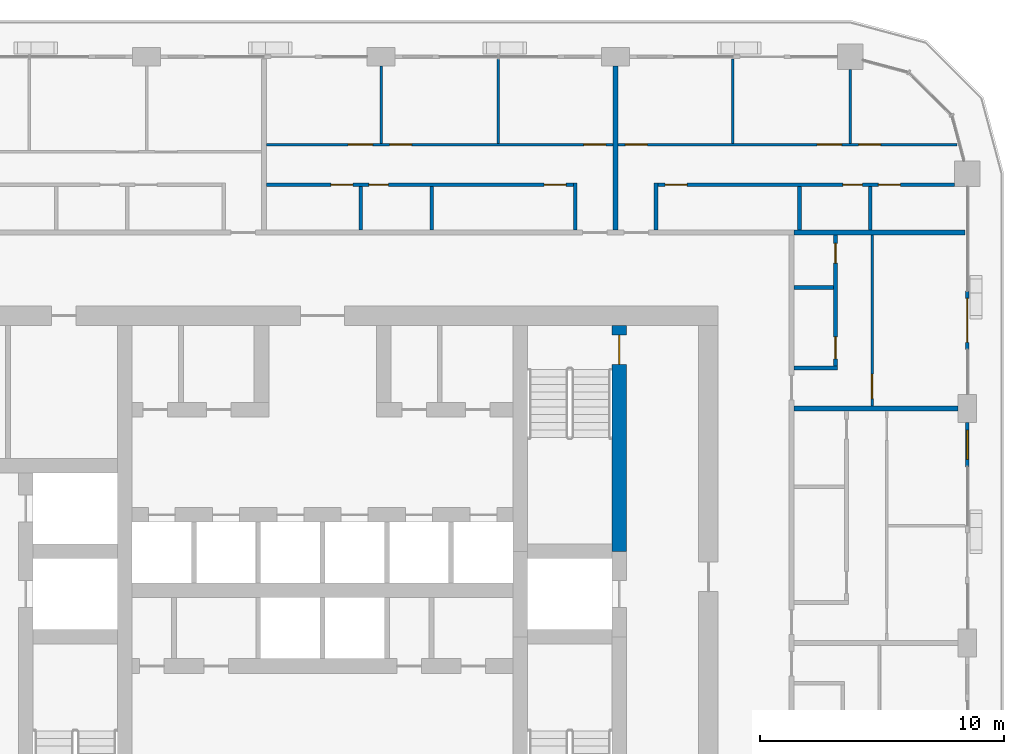
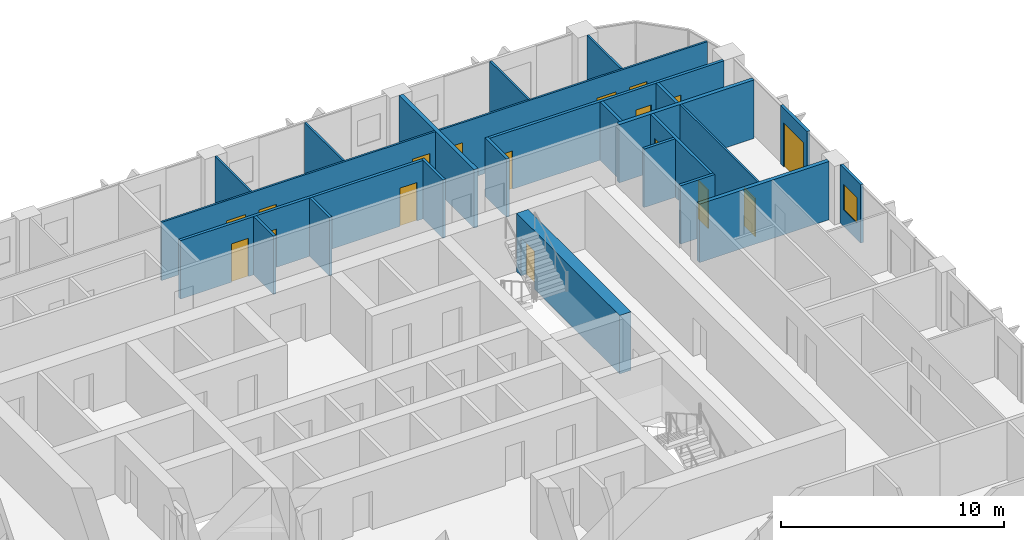
# One storey, part 15 of 22: 24 walls, 17 doors, 1 window, 18 openings.
"""IFC4 building model written with IfcOpenShell, lengths in metres."""

from ifc_helpers import new_model, si_unit, direction, frame, frame_2d, origin, place, context, subcontext, project, spatial, rectangle, extrude, material, layer, layer_set, type_object, element, fill, save


model = new_model("IFC4")

# Units and contexts
model_context = context("Model", 3, precision=1e-05, world=origin(), true_north=direction((0.0, 1.0)))
body_context = subcontext(model_context, "Body", "Model", "MODEL_VIEW")
ifc_project = project(units=[si_unit("LENGTHUNIT", "METRE"), si_unit("AREAUNIT", "SQUARE_METRE"), si_unit("VOLUMEUNIT", "CUBIC_METRE"), si_unit("PLANEANGLEUNIT", "RADIAN"), si_unit("MASSUNIT", "GRAM", prefix="KILO")], contexts=[model_context])

# Site, building, storey
site_placement = place(None, origin())
site = spatial("IfcSite", under=ifc_project, at=site_placement, CompositionType="ELEMENT")
building_placement = place(site_placement, origin())
building = spatial("IfcBuilding", under=site, at=building_placement, Name="Madar Terraces", CompositionType="ELEMENT")
storey_placement = place(building_placement, frame((0.0, 0.0, 156.0)))
storey = spatial("IfcBuildingStorey", under=building, at=storey_placement, Name="L40", CompositionType="ELEMENT", Elevation=156.0)

# Wall, opening, door
ifc_material_1 = material(Name="Concrete C70/85", Category="concrete")
ifc_layer_1 = layer(ifc_material_1, 0.60009765625)
ifc_layer_set_1 = layer_set([ifc_layer_1], Name="Concrete C70/85 (CIW3 RC wall 600)")
wall_type_1 = type_object("IfcWallType", Name="CIW3 RC wall 600", PredefinedType="SHEAR", material=ifc_layer_set_1)
wall_1_placement = place(storey_placement, frame((43.35009765625, 27.75, 0.0), z_axis=(0.0, 0.0, 1.0), x_axis=(0.0, 1.0, 0.0)))
wall_1 = element("IfcWall", 1, at=wall_1_placement, inside=storey, type_object=wall_type_1, Name="CORE SHAFT WALL", PredefinedType="SHEAR", context=body_context, shape_type="SweptSolid", body=[
    extrude(rectangle(XDim=9.25, YDim=0.60009765625, at=frame_2d((4.625, 0.0))), origin(), (0.0, 0.0, 1.0), 3.199951171875),
])
opening_1_placement = place(wall_1_placement, frame((7.64990234375, 0.0, 0.0)))
opening_1 = element("IfcOpeningElement", 2, at=opening_1_placement, cuts=wall_1, Name="Opening SD1", PredefinedType="OPENING", context=body_context, shape_type="SweptSolid", body=[
    extrude(rectangle(XDim=1.199951171875, YDim=2.10009765625, at=frame_2d((0.60009765625, 1.050048828125))), frame((0.0, 0.31005859375, 0.0), z_axis=(0.0, -1.0, 0.0), x_axis=(1.0, 0.0, 0.0)), (0.0, 0.0, 1.0), 0.6201171875),
])
ifc_material_2 = material(Name="Steel door leaf", Category="steel")
door_type_1 = type_object("IfcDoorType", Name="Stair door 1200 x 2100", OperationType="NOTDEFINED", PredefinedType="DOOR", material=ifc_material_2)
door_1_placement = place(opening_1_placement, origin())
door_1 = element("IfcDoor", 3, at=door_1_placement, inside=storey, type_object=door_type_1, Name="STAIR DOOR", OperationType="SINGLE_SWING_RIGHT", OverallHeight=2.10009765625, OverallWidth=1.199951171875, PredefinedType="DOOR", context=body_context, shape_type="SweptSolid", body=[
    extrude(rectangle(XDim=1.199951171875, YDim=2.10009765625, at=frame_2d((0.60009765625, 1.050048828125))), frame((0.0, 0.02490234375, 0.0), z_axis=(0.0, -1.0, 0.0), x_axis=(1.0, 0.0, 0.0)), (0.0, 0.0, 1.0), 0.050048828125),
])
fill(opening_1, door_1)

# Wall, opening, window
ifc_material_3 = material(Name="Aluminium composite panel, black, over insulated backing", Category="aluminium")
ifc_layer_2 = layer(ifc_material_3, 0.14990234375)
ifc_layer_set_2 = layer_set([ifc_layer_2], Name="Facade bay panel 150")
wall_type_2 = type_object("IfcWallType", Name="Facade bay panel 150", PredefinedType="SOLIDWALL", material=ifc_layer_set_2)
wall_2_placement = place(storey_placement, frame((57.60009765625, 31.199951171875, 0.0), z_axis=(0.0, 0.0, 1.0), x_axis=(0.0, 1.0, 0.0)))
wall_2 = element("IfcWall", 4, at=wall_2_placement, inside=storey, type_object=wall_type_2, Name="Facade bay panel", PredefinedType="SOLIDWALL", context=body_context, shape_type="SweptSolid", body=[
    extrude(rectangle(XDim=1.824951171875, YDim=0.14990234375, at=frame_2d((0.91259765625, 0.0))), origin(), (0.0, 0.0, 1.0), 3.199951171875),
])
opening_2_placement = place(wall_2_placement, frame((0.3125, 0.0, 0.89990234375)))
opening_2 = element("IfcOpeningElement", 5, at=opening_2_placement, cuts=wall_2, Name="Opening W1", PredefinedType="OPENING", context=body_context, shape_type="SweptSolid", body=[
    extrude(rectangle(XDim=1.199951171875, YDim=1.39990234375, at=frame_2d((0.60009765625, 0.699951171875))), frame((0.0, 0.0849609375, 0.0), z_axis=(0.0, -1.0, 0.0), x_axis=(1.0, 0.0, 0.0)), (0.0, 0.0, 1.0), 0.169921875),
])
ifc_material_4 = material(Name="Glass, clear, with black aluminium frame", Category="aluminium")
window_type = type_object("IfcWindowType", Name="Vent window 1200 x 1400", PartitioningType="SINGLE_PANEL", PredefinedType="WINDOW", material=ifc_material_4)
window_placement = place(opening_2_placement, origin())
window = element("IfcWindow", 6, at=window_placement, inside=storey, type_object=window_type, Name="Operable vent window", OverallHeight=1.39990234375, OverallWidth=1.199951171875, PartitioningType="SINGLE_PANEL", PredefinedType="WINDOW", context=body_context, shape_type="SweptSolid", body=[
    extrude(rectangle(XDim=1.199951171875, YDim=1.39990234375, at=frame_2d((0.60009765625, 0.699951171875))), frame((0.0, 0.030029296875, 0.0), z_axis=(0.0, -1.0, 0.0), x_axis=(1.0, 0.0, 0.0)), (0.0, 0.0, 1.0), 0.06005859375),
])
fill(opening_2, window)

# Wall, opening, door
wall_3_placement = place(storey_placement, frame((57.60009765625, 36.0, 0.0), z_axis=(0.0, 0.0, 1.0), x_axis=(0.0, 1.0, 0.0)))
wall_3 = element("IfcWall", 7, at=wall_3_placement, inside=storey, type_object=wall_type_2, Name="Facade bay panel", PredefinedType="SOLIDWALL", context=body_context, shape_type="SweptSolid", body=[
    extrude(rectangle(XDim=2.39990234375, YDim=0.14990234375, at=frame_2d((1.199951171875, 0.0))), origin(), (0.0, 0.0, 1.0), 3.199951171875),
])
opening_3_placement = place(wall_3_placement, frame((0.300048828125, 0.0, 0.0)))
opening_3 = element("IfcOpeningElement", 8, at=opening_3_placement, cuts=wall_3, Name="Opening ED1", PredefinedType="OPENING", context=body_context, shape_type="SweptSolid", body=[
    extrude(rectangle(XDim=1.800048828125, YDim=2.39990234375, at=frame_2d((0.89990234375, 1.199951171875))), frame((0.0, 0.0849609375, 0.0), z_axis=(0.0, -1.0, 0.0), x_axis=(1.0, 0.0, 0.0)), (0.0, 0.0, 1.0), 0.169921875),
])
ifc_material_5 = material(Name="Glass, clear, with black aluminium frame", Category="aluminium")
door_type_2 = type_object("IfcDoorType", Name="Balcony and terrace sliding door 1800 x 2400", OperationType="SLIDING_TO_LEFT", PredefinedType="DOOR", material=ifc_material_5)
door_2_placement = place(opening_3_placement, origin())
door_2 = element("IfcDoor", 9, at=door_2_placement, inside=storey, type_object=door_type_2, Name="Balcony door", OperationType="SLIDING_TO_LEFT", OverallHeight=2.39990234375, OverallWidth=1.800048828125, PredefinedType="DOOR", context=body_context, shape_type="SweptSolid", body=[
    extrude(rectangle(XDim=1.800048828125, YDim=2.39990234375, at=frame_2d((0.89990234375, 1.199951171875))), frame((0.0, 0.02490234375, 0.0), z_axis=(0.0, -1.0, 0.0), x_axis=(1.0, 0.0, 0.0)), (0.0, 0.0, 1.0), 0.050048828125),
])
fill(opening_3, door_2)

ifc_material_6 = material(Name="Gypsum board on steel studs", Category="steel")
ifc_layer_3 = layer(ifc_material_6, 0.10009765625)
ifc_layer_set_3 = layer_set([ifc_layer_3], Name="Flat partition 100")
wall_type_3 = type_object("IfcWallType", Name="Flat partition 100", PredefinedType="PARTITIONING", material=ifc_layer_set_3)
wall_4_placement = place(storey_placement, frame((53.699951171875, 40.699951171875, 0.0), z_axis=(0.0, 0.0, 1.0), x_axis=(0.0, -1.0, 0.0)))
wall_4 = element("IfcWall", 10, at=wall_4_placement, inside=storey, type_object=wall_type_3, Name="Flat partition 100", PredefinedType="PARTITIONING", context=body_context, shape_type="SweptSolid", body=[
    extrude(rectangle(XDim=7.0, YDim=0.10009765625, at=frame_2d((3.5, 0.0))), origin(), (0.0, 0.0, 1.0), 3.199951171875),
])
opening_4_placement = place(wall_4_placement, frame((5.699951171875, 0.0, 0.0)))
opening_4 = element("IfcOpeningElement", 11, at=opening_4_placement, cuts=wall_4, Name="Opening D3", PredefinedType="OPENING", context=body_context, shape_type="SweptSolid", body=[
    extrude(rectangle(XDim=1.0, YDim=2.10009765625, at=frame_2d((0.5, 1.050048828125))), frame((0.0, 0.06005859375, 0.0), z_axis=(0.0, -1.0, 0.0), x_axis=(1.0, 0.0, 0.0)), (0.0, 0.0, 1.0), 0.1201171875),
])
ifc_material_7 = material(Name="Timber door leaf", Category="wood")
door_type_3 = type_object("IfcDoorType", Name="Flat living room door 1000", OperationType="NOTDEFINED", PredefinedType="DOOR", material=ifc_material_7)
door_3_placement = place(opening_4_placement, origin())
door_3 = element("IfcDoor", 12, at=door_3_placement, inside=storey, type_object=door_type_3, Name="Flat living room door 1000", OperationType="SINGLE_SWING_RIGHT", OverallHeight=2.10009765625, OverallWidth=1.0, PredefinedType="DOOR", context=body_context, shape_type="SweptSolid", body=[
    extrude(rectangle(XDim=1.0, YDim=2.10009765625, at=frame_2d((0.5, 1.050048828125))), frame((0.0, 0.02490234375, 0.0), z_axis=(0.0, -1.0, 0.0), x_axis=(1.0, 0.0, 0.0)), (0.0, 0.0, 1.0), 0.050048828125),
])
fill(opening_4, door_3)

# Walls
wall_5_placement = place(storey_placement, frame((48.0, 44.449951171875, 0.0), z_axis=(0.0, 0.0, 1.0), x_axis=(0.0, 1.0, 0.0)))
element("IfcWall", 13, at=wall_5_placement, inside=storey, type_object=wall_type_3, Name="Flat partition 100", PredefinedType="PARTITIONING", context=body_context, shape_type="SweptSolid", body=[
    extrude(rectangle(XDim=3.449951171875, YDim=0.10009765625, at=frame_2d((1.72509765625, 0.0))), origin(), (0.0, 0.0, 1.0), 3.199951171875),
])
wall_6_placement = place(storey_placement, frame((52.800048828125, 44.449951171875, 0.0), z_axis=(0.0, 0.0, 1.0), x_axis=(0.0, 1.0, 0.0)))
element("IfcWall", 14, at=wall_6_placement, inside=storey, type_object=wall_type_3, Name="Flat partition 100", PredefinedType="PARTITIONING", context=body_context, shape_type="SweptSolid", body=[
    extrude(rectangle(XDim=3.025146484375, YDim=0.10009765625, at=frame_2d((1.5126953125, 0.0))), origin(), (0.0, 0.0, 1.0), 3.199951171875),
])

# Wall, openings, doors
wall_7_placement = place(storey_placement, frame((43.300048828125, 44.39990234375, 0.0), z_axis=(0.0, 0.0, 1.0), x_axis=(1.0, 0.0, 0.0)))
wall_7 = element("IfcWall", 15, at=wall_7_placement, inside=storey, type_object=wall_type_3, Name="Flat partition 100", PredefinedType="PARTITIONING", context=body_context, shape_type="SweptSolid", body=[
    extrude(rectangle(XDim=13.87841796875, YDim=0.10009765625, at=frame_2d((6.939208984375, 0.0))), origin(), (0.0, 0.0, 1.0), 3.199951171875),
])
opening_5_placement = place(wall_7_placement, frame((0.300048828125, 0.0, 0.0)))
opening_5 = element("IfcOpeningElement", 16, at=opening_5_placement, cuts=wall_7, Name="Opening D2", PredefinedType="OPENING", context=body_context, shape_type="SweptSolid", body=[
    extrude(rectangle(XDim=0.89990234375, YDim=2.10009765625, at=frame_2d((0.449951171875, 1.050048828125))), frame((0.0, 0.06005859375, 0.0), z_axis=(0.0, -1.0, 0.0), x_axis=(1.0, 0.0, 0.0)), (0.0, 0.0, 1.0), 0.1201171875),
])
opening_6_placement = place(wall_7_placement, frame((8.14990234375, 0.0, 0.0)))
opening_6 = element("IfcOpeningElement", 17, at=opening_6_placement, cuts=wall_7, Name="Opening D3", PredefinedType="OPENING", context=body_context, shape_type="SweptSolid", body=[
    extrude(rectangle(XDim=1.0, YDim=2.10009765625, at=frame_2d((0.5, 1.050048828125))), frame((0.0, 0.06005859375, 0.0), z_axis=(0.0, -1.0, 0.0), x_axis=(1.0, 0.0, 0.0)), (0.0, 0.0, 1.0), 0.1201171875),
])
opening_7_placement = place(wall_7_placement, frame((9.85009765625, 0.0, 0.0)))
opening_7 = element("IfcOpeningElement", 18, at=opening_7_placement, cuts=wall_7, Name="Opening D2", PredefinedType="OPENING", context=body_context, shape_type="SweptSolid", body=[
    extrude(rectangle(XDim=0.89990234375, YDim=2.10009765625, at=frame_2d((0.449951171875, 1.050048828125))), frame((0.0, 0.06005859375, 0.0), z_axis=(0.0, -1.0, 0.0), x_axis=(1.0, 0.0, 0.0)), (0.0, 0.0, 1.0), 0.1201171875),
])
door_4_placement = place(opening_6_placement, origin())
door_4 = element("IfcDoor", 19, at=door_4_placement, inside=storey, type_object=door_type_3, Name="Flat living room door 1000", OperationType="SINGLE_SWING_RIGHT", OverallHeight=2.10009765625, OverallWidth=1.0, PredefinedType="DOOR", context=body_context, shape_type="SweptSolid", body=[
    extrude(rectangle(XDim=1.0, YDim=2.10009765625, at=frame_2d((0.5, 1.050048828125))), frame((0.0, 0.02490234375, 0.0), z_axis=(0.0, -1.0, 0.0), x_axis=(1.0, 0.0, 0.0)), (0.0, 0.0, 1.0), 0.050048828125),
])
fill(opening_6, door_4)
ifc_material_8 = material(Name="Timber door leaf", Category="wood")
door_type_4 = type_object("IfcDoorType", Name="Flat room door 900", OperationType="NOTDEFINED", PredefinedType="DOOR", material=ifc_material_8)
door_5_placement = place(opening_5_placement, origin())
door_5 = element("IfcDoor", 20, at=door_5_placement, inside=storey, type_object=door_type_4, Name="Flat room door 900", OperationType="SINGLE_SWING_LEFT", OverallHeight=2.10009765625, OverallWidth=0.89990234375, PredefinedType="DOOR", context=body_context, shape_type="SweptSolid", body=[
    extrude(rectangle(XDim=0.89990234375, YDim=2.10009765625, at=frame_2d((0.449951171875, 1.050048828125))), frame((0.0, 0.02490234375, 0.0), z_axis=(0.0, -1.0, 0.0), x_axis=(1.0, 0.0, 0.0)), (0.0, 0.0, 1.0), 0.050048828125),
])
fill(opening_5, door_5)
door_6_placement = place(opening_7_placement, origin())
door_6 = element("IfcDoor", 21, at=door_6_placement, inside=storey, type_object=door_type_4, Name="Flat room door 900", OperationType="SINGLE_SWING_LEFT", OverallHeight=2.10009765625, OverallWidth=0.89990234375, PredefinedType="DOOR", context=body_context, shape_type="SweptSolid", body=[
    extrude(rectangle(XDim=0.89990234375, YDim=2.10009765625, at=frame_2d((0.449951171875, 1.050048828125))), frame((0.0, 0.02490234375, 0.0), z_axis=(0.0, -1.0, 0.0), x_axis=(1.0, 0.0, 0.0)), (0.0, 0.0, 1.0), 0.050048828125),
])
fill(opening_7, door_6)

# Walls
wall_8_placement = place(storey_placement, frame((38.39990234375, 44.449951171875, 0.0), z_axis=(0.0, 0.0, 1.0), x_axis=(0.0, 1.0, 0.0)))
element("IfcWall", 22, at=wall_8_placement, inside=storey, type_object=wall_type_3, Name="Flat partition 100", PredefinedType="PARTITIONING", context=body_context, shape_type="SweptSolid", body=[
    extrude(rectangle(XDim=3.449951171875, YDim=0.10009765625, at=frame_2d((1.72509765625, 0.0))), origin(), (0.0, 0.0, 1.0), 3.199951171875),
])
wall_9_placement = place(storey_placement, frame((33.60009765625, 44.449951171875, 0.0), z_axis=(0.0, 0.0, 1.0), x_axis=(0.0, 1.0, 0.0)))
element("IfcWall", 23, at=wall_9_placement, inside=storey, type_object=wall_type_3, Name="Flat partition 100", PredefinedType="PARTITIONING", context=body_context, shape_type="SweptSolid", body=[
    extrude(rectangle(XDim=3.175048828125, YDim=0.10009765625, at=frame_2d((1.58740234375, 0.0))), origin(), (0.0, 0.0, 1.0), 3.199951171875),
])

# Wall, openings, doors
wall_10_placement = place(storey_placement, frame((28.89990234375, 44.39990234375, 0.0), z_axis=(0.0, 0.0, 1.0), x_axis=(1.0, 0.0, 0.0)))
wall_10 = element("IfcWall", 24, at=wall_10_placement, inside=storey, type_object=wall_type_3, Name="Flat partition 100", PredefinedType="PARTITIONING", context=body_context, shape_type="SweptSolid", body=[
    extrude(rectangle(XDim=14.2001953125, YDim=0.10009765625, at=frame_2d((7.10009765625, 0.0))), origin(), (0.0, 0.0, 1.0), 3.199951171875),
])
opening_8_placement = place(wall_10_placement, frame((13.0, 0.0, 0.0)))
opening_8 = element("IfcOpeningElement", 25, at=opening_8_placement, cuts=wall_10, Name="Opening D2", PredefinedType="OPENING", context=body_context, shape_type="SweptSolid", body=[
    extrude(rectangle(XDim=0.89990234375, YDim=2.10009765625, at=frame_2d((0.449951171875, 1.050048828125))), frame((0.0, 0.06005859375, 0.0), z_axis=(0.0, -1.0, 0.0), x_axis=(1.0, 0.0, 0.0)), (0.0, 0.0, 1.0), 0.1201171875),
])
opening_9_placement = place(wall_10_placement, frame((5.050048828125, 0.0, 0.0)))
opening_9 = element("IfcOpeningElement", 26, at=opening_9_placement, cuts=wall_10, Name="Opening D2", PredefinedType="OPENING", context=body_context, shape_type="SweptSolid", body=[
    extrude(rectangle(XDim=0.89990234375, YDim=2.10009765625, at=frame_2d((0.449951171875, 1.050048828125))), frame((0.0, 0.06005859375, 0.0), z_axis=(0.0, -1.0, 0.0), x_axis=(1.0, 0.0, 0.0)), (0.0, 0.0, 1.0), 0.1201171875),
])
opening_10_placement = place(wall_10_placement, frame((3.35009765625, 0.0, 0.0)))
opening_10 = element("IfcOpeningElement", 27, at=opening_10_placement, cuts=wall_10, Name="Opening D3", PredefinedType="OPENING", context=body_context, shape_type="SweptSolid", body=[
    extrude(rectangle(XDim=1.0, YDim=2.10009765625, at=frame_2d((0.5, 1.050048828125))), frame((0.0, 0.06005859375, 0.0), z_axis=(0.0, -1.0, 0.0), x_axis=(1.0, 0.0, 0.0)), (0.0, 0.0, 1.0), 0.1201171875),
])
door_7_placement = place(opening_10_placement, origin())
door_7 = element("IfcDoor", 28, at=door_7_placement, inside=storey, type_object=door_type_3, Name="Flat living room door 1000", OperationType="SINGLE_SWING_RIGHT", OverallHeight=2.10009765625, OverallWidth=1.0, PredefinedType="DOOR", context=body_context, shape_type="SweptSolid", body=[
    extrude(rectangle(XDim=1.0, YDim=2.10009765625, at=frame_2d((0.5, 1.050048828125))), frame((0.0, 0.02490234375, 0.0), z_axis=(0.0, -1.0, 0.0), x_axis=(1.0, 0.0, 0.0)), (0.0, 0.0, 1.0), 0.050048828125),
])
fill(opening_10, door_7)
door_8_placement = place(opening_8_placement, origin())
door_8 = element("IfcDoor", 29, at=door_8_placement, inside=storey, type_object=door_type_4, Name="Flat room door 900", OperationType="SINGLE_SWING_RIGHT", OverallHeight=2.10009765625, OverallWidth=0.89990234375, PredefinedType="DOOR", context=body_context, shape_type="SweptSolid", body=[
    extrude(rectangle(XDim=0.89990234375, YDim=2.10009765625, at=frame_2d((0.449951171875, 1.050048828125))), frame((0.0, 0.02490234375, 0.0), z_axis=(0.0, -1.0, 0.0), x_axis=(1.0, 0.0, 0.0)), (0.0, 0.0, 1.0), 0.050048828125),
])
fill(opening_8, door_8)
door_9_placement = place(opening_9_placement, origin())
door_9 = element("IfcDoor", 30, at=door_9_placement, inside=storey, type_object=door_type_4, Name="Flat room door 900", OperationType="SINGLE_SWING_LEFT", OverallHeight=2.10009765625, OverallWidth=0.89990234375, PredefinedType="DOOR", context=body_context, shape_type="SweptSolid", body=[
    extrude(rectangle(XDim=0.89990234375, YDim=2.10009765625, at=frame_2d((0.449951171875, 1.050048828125))), frame((0.0, 0.02490234375, 0.0), z_axis=(0.0, -1.0, 0.0), x_axis=(1.0, 0.0, 0.0)), (0.0, 0.0, 1.0), 0.050048828125),
])
fill(opening_9, door_9)

# Walls
ifc_material_9 = material(Name="Lightweight blockwork", Category="masonry")
ifc_layer_4 = layer(ifc_material_9, 0.199951171875)
ifc_layer_set_4 = layer_set([ifc_layer_4], Name="Flat party and entrance wall 200")
wall_type_4 = type_object("IfcWallType", Name="Flat party and entrance wall 200", PredefinedType="PARTITIONING", material=ifc_layer_set_4)
wall_11_placement = place(storey_placement, frame((50.5, 33.60009765625, 0.0), z_axis=(0.0, 0.0, 1.0), x_axis=(1.0, 0.0, 0.0)))
element("IfcWall", 31, at=wall_11_placement, inside=storey, type_object=wall_type_4, Name="Flat party and entrance wall 200", PredefinedType="PARTITIONING", context=body_context, shape_type="SweptSolid", body=[
    extrude(rectangle(XDim=6.72509765625, YDim=0.199951171875, at=frame_2d((3.362548828125, 0.0))), origin(), (0.0, 0.0, 1.0), 3.199951171875),
])
wall_12_placement = place(storey_placement, frame((50.5, 40.800048828125, 0.0), z_axis=(0.0, 0.0, 1.0), x_axis=(1.0, 0.0, 0.0)))
element("IfcWall", 32, at=wall_12_placement, inside=storey, type_object=wall_type_4, Name="Flat party and entrance wall 200", PredefinedType="PARTITIONING", context=body_context, shape_type="SweptSolid", body=[
    extrude(rectangle(XDim=7.0, YDim=0.199951171875, at=frame_2d((3.5, 0.0))), origin(), (0.0, 0.0, 1.0), 3.199951171875),
])
wall_13_placement = place(storey_placement, frame((43.199951171875, 47.625, 0.0), z_axis=(0.0, 0.0, 1.0), x_axis=(0.0, -1.0, 0.0)))
element("IfcWall", 33, at=wall_13_placement, inside=storey, type_object=wall_type_4, Name="Flat party and entrance wall 200", PredefinedType="PARTITIONING", context=body_context, shape_type="SweptSolid", body=[
    extrude(rectangle(XDim=6.72509765625, YDim=0.199951171875, at=frame_2d((3.362548828125, 0.0))), origin(), (0.0, 0.0, 1.0), 3.199951171875),
])
ifc_material_10 = material(Name="Lightweight blockwork", Category="masonry")
ifc_layer_5 = layer(ifc_material_10, 0.14990234375)
ifc_layer_set_5 = layer_set([ifc_layer_5], Name="Flat wet-room partition 150")
wall_type_5 = type_object("IfcWallType", Name="Flat wet-room partition 150", PredefinedType="PARTITIONING", material=ifc_layer_set_5)
wall_14_placement = place(storey_placement, frame((50.5, 38.550048828125, 0.0), z_axis=(0.0, 0.0, 1.0), x_axis=(1.0, 0.0, 0.0)))
element("IfcWall", 34, at=wall_14_placement, inside=storey, type_object=wall_type_5, Name="Flat wet-room partition 150", PredefinedType="PARTITIONING", context=body_context, shape_type="SweptSolid", body=[
    extrude(rectangle(XDim=1.625, YDim=0.14990234375, at=frame_2d((0.8125, 0.0))), origin(), (0.0, 0.0, 1.0), 3.199951171875),
])
wall_15_placement = place(storey_placement, frame((50.5, 35.25, 0.0), z_axis=(0.0, 0.0, 1.0), x_axis=(1.0, 0.0, 0.0)))
element("IfcWall", 35, at=wall_15_placement, inside=storey, type_object=wall_type_5, Name="Flat wet-room partition 150", PredefinedType="PARTITIONING", context=body_context, shape_type="SweptSolid", body=[
    extrude(rectangle(XDim=1.77490234375, YDim=0.14990234375, at=frame_2d((0.887451171875, 0.0))), origin(), (0.0, 0.0, 1.0), 3.199951171875),
])

# Wall, openings, doors
wall_16_placement = place(storey_placement, frame((52.199951171875, 35.324951171875, 0.0), z_axis=(0.0, 0.0, 1.0), x_axis=(0.0, 1.0, 0.0)))
wall_16 = element("IfcWall", 36, at=wall_16_placement, inside=storey, type_object=wall_type_5, Name="Flat wet-room partition 150", PredefinedType="PARTITIONING", context=body_context, shape_type="SweptSolid", body=[
    extrude(rectangle(XDim=5.375, YDim=0.14990234375, at=frame_2d((2.6875, 0.0))), origin(), (0.0, 0.0, 1.0), 3.199951171875),
])
opening_11_placement = place(wall_16_placement, frame((0.300048828125, 0.0, 0.0)))
opening_11 = element("IfcOpeningElement", 37, at=opening_11_placement, cuts=wall_16, Name="Opening D2", PredefinedType="OPENING", context=body_context, shape_type="SweptSolid", body=[
    extrude(rectangle(XDim=0.89990234375, YDim=2.10009765625, at=frame_2d((0.449951171875, 1.050048828125))), frame((0.0, 0.0849609375, 0.0), z_axis=(0.0, -1.0, 0.0), x_axis=(1.0, 0.0, 0.0)), (0.0, 0.0, 1.0), 0.169921875),
])
opening_12_placement = place(wall_16_placement, frame((4.22509765625, 0.0, 0.0)))
opening_12 = element("IfcOpeningElement", 38, at=opening_12_placement, cuts=wall_16, Name="Opening D4", PredefinedType="OPENING", context=body_context, shape_type="SweptSolid", body=[
    extrude(rectangle(XDim=0.800048828125, YDim=2.10009765625, at=frame_2d((0.39990234375, 1.050048828125))), frame((0.0, 0.0849609375, 0.0), z_axis=(0.0, -1.0, 0.0), x_axis=(1.0, 0.0, 0.0)), (0.0, 0.0, 1.0), 0.169921875),
])
ifc_material_11 = material(Name="Timber door leaf", Category="wood")
door_type_5 = type_object("IfcDoorType", Name="Flat bathroom door 800", OperationType="NOTDEFINED", PredefinedType="DOOR", material=ifc_material_11)
door_10_placement = place(opening_12_placement, origin())
door_10 = element("IfcDoor", 39, at=door_10_placement, inside=storey, type_object=door_type_5, Name="Flat bathroom door 800", OperationType="SINGLE_SWING_RIGHT", OverallHeight=2.10009765625, OverallWidth=0.800048828125, PredefinedType="DOOR", context=body_context, shape_type="SweptSolid", body=[
    extrude(rectangle(XDim=0.800048828125, YDim=2.10009765625, at=frame_2d((0.39990234375, 1.050048828125))), frame((0.0, 0.02490234375, 0.0), z_axis=(0.0, -1.0, 0.0), x_axis=(1.0, 0.0, 0.0)), (0.0, 0.0, 1.0), 0.050048828125),
])
fill(opening_12, door_10)
door_11_placement = place(opening_11_placement, origin())
door_11 = element("IfcDoor", 40, at=door_11_placement, inside=storey, type_object=door_type_4, Name="Flat room door 900", OperationType="SINGLE_SWING_LEFT", OverallHeight=2.10009765625, OverallWidth=0.89990234375, PredefinedType="DOOR", context=body_context, shape_type="SweptSolid", body=[
    extrude(rectangle(XDim=0.89990234375, YDim=2.10009765625, at=frame_2d((0.449951171875, 1.050048828125))), frame((0.0, 0.02490234375, 0.0), z_axis=(0.0, -1.0, 0.0), x_axis=(1.0, 0.0, 0.0)), (0.0, 0.0, 1.0), 0.050048828125),
])
fill(opening_11, door_11)

# Walls
for number, where, z_axis, x_axis, name in (
    (41, (50.728759765625, 40.89990234375, 0.0), (0.0, 0.0, 1.0), (0.0, 1.0, 0.0), "Flat wet-room partition 150"),
    (42, (53.630615234375, 40.89990234375, 0.0), (0.0, 0.0, 1.0), (0.0, 1.0, 0.0), "Flat wet-room partition 150"),
):
    element("IfcWall", number, at=place(storey_placement, frame(where, z_axis=z_axis, x_axis=x_axis)), inside=storey, type_object=wall_type_5, Name=name, PredefinedType="PARTITIONING", context=body_context, shape_type="SweptSolid", body=[
        extrude(rectangle(XDim=1.775146484375, YDim=0.14990234375, at=frame_2d((0.8876953125, 0.0))), origin(), (0.0, 0.0, 1.0), 3.199951171875),
    ])
wall_17_placement = place(storey_placement, frame((44.85009765625, 40.89990234375, 0.0), z_axis=(0.0, 0.0, 1.0), x_axis=(0.0, 1.0, 0.0)))
element("IfcWall", 43, at=wall_17_placement, inside=storey, type_object=wall_type_5, Name="Flat wet-room partition 150", PredefinedType="PARTITIONING", context=body_context, shape_type="SweptSolid", body=[
    extrude(rectangle(XDim=1.925048828125, YDim=0.14990234375, at=frame_2d((0.96240234375, 0.0))), origin(), (0.0, 0.0, 1.0), 3.199951171875),
])

# Wall, openings, doors
wall_18_placement = place(storey_placement, frame((57.074951171875, 42.75, 0.0), z_axis=(0.0, 0.0, 1.0), x_axis=(-1.0, 0.0, 0.0)))
wall_18 = element("IfcWall", 44, at=wall_18_placement, inside=storey, type_object=wall_type_5, Name="Flat wet-room partition 150", PredefinedType="PARTITIONING", context=body_context, shape_type="SweptSolid", body=[
    extrude(rectangle(XDim=12.14990234375, YDim=0.14990234375, at=frame_2d((6.074951171875, 0.0))), origin(), (0.0, 0.0, 1.0), 3.199951171875),
])
opening_13_placement = place(wall_18_placement, frame((10.949951171875, 0.0, 0.0)))
opening_13 = element("IfcOpeningElement", 45, at=opening_13_placement, cuts=wall_18, Name="Opening D2", PredefinedType="OPENING", context=body_context, shape_type="SweptSolid", body=[
    extrude(rectangle(XDim=0.89990234375, YDim=2.10009765625, at=frame_2d((0.449951171875, 1.050048828125))), frame((0.0, 0.0849609375, 0.0), z_axis=(0.0, -1.0, 0.0), x_axis=(1.0, 0.0, 0.0)), (0.0, 0.0, 1.0), 0.169921875),
])
opening_14_placement = place(wall_18_placement, frame((3.769287109375, 0.0, 0.0)))
opening_14 = element("IfcOpeningElement", 46, at=opening_14_placement, cuts=wall_18, Name="Opening D4", PredefinedType="OPENING", context=body_context, shape_type="SweptSolid", body=[
    extrude(rectangle(XDim=0.800048828125, YDim=2.10009765625, at=frame_2d((0.39990234375, 1.050048828125))), frame((0.0, 0.0849609375, 0.0), z_axis=(0.0, -1.0, 0.0), x_axis=(1.0, 0.0, 0.0)), (0.0, 0.0, 1.0), 0.169921875),
])
opening_15_placement = place(wall_18_placement, frame((2.21923828125, 0.0, 0.0)))
opening_15 = element("IfcOpeningElement", 47, at=opening_15_placement, cuts=wall_18, Name="Opening D5", PredefinedType="OPENING", context=body_context, shape_type="SweptSolid", body=[
    extrude(rectangle(XDim=0.89990234375, YDim=2.10009765625, at=frame_2d((0.449951171875, 1.050048828125))), frame((0.0, 0.0849609375, 0.0), z_axis=(0.0, -1.0, 0.0), x_axis=(1.0, 0.0, 0.0)), (0.0, 0.0, 1.0), 0.169921875),
])
ifc_material_12 = material(Name="Timber door leaf", Category="wood")
door_type_6 = type_object("IfcDoorType", Name="Flat accessible bathroom door 900", OperationType="NOTDEFINED", PredefinedType="DOOR", material=ifc_material_12)
door_12_placement = place(opening_15_placement, origin())
door_12 = element("IfcDoor", 48, at=door_12_placement, inside=storey, type_object=door_type_6, Name="Flat accessible bathroom door 900", OperationType="SINGLE_SWING_RIGHT", OverallHeight=2.10009765625, OverallWidth=0.89990234375, PredefinedType="DOOR", context=body_context, shape_type="SweptSolid", body=[
    extrude(rectangle(XDim=0.89990234375, YDim=2.10009765625, at=frame_2d((0.449951171875, 1.050048828125))), frame((0.0, 0.02490234375, 0.0), z_axis=(0.0, -1.0, 0.0), x_axis=(1.0, 0.0, 0.0)), (0.0, 0.0, 1.0), 0.050048828125),
])
fill(opening_15, door_12)
door_13_placement = place(opening_14_placement, origin())
door_13 = element("IfcDoor", 49, at=door_13_placement, inside=storey, type_object=door_type_5, Name="Flat bathroom door 800", OperationType="SINGLE_SWING_LEFT", OverallHeight=2.10009765625, OverallWidth=0.800048828125, PredefinedType="DOOR", context=body_context, shape_type="SweptSolid", body=[
    extrude(rectangle(XDim=0.800048828125, YDim=2.10009765625, at=frame_2d((0.39990234375, 1.050048828125))), frame((0.0, 0.02490234375, 0.0), z_axis=(0.0, -1.0, 0.0), x_axis=(1.0, 0.0, 0.0)), (0.0, 0.0, 1.0), 0.050048828125),
])
fill(opening_14, door_13)
door_14_placement = place(opening_13_placement, origin())
door_14 = element("IfcDoor", 50, at=door_14_placement, inside=storey, type_object=door_type_4, Name="Flat room door 900", OperationType="SINGLE_SWING_RIGHT", OverallHeight=2.10009765625, OverallWidth=0.89990234375, PredefinedType="DOOR", context=body_context, shape_type="SweptSolid", body=[
    extrude(rectangle(XDim=0.89990234375, YDim=2.10009765625, at=frame_2d((0.449951171875, 1.050048828125))), frame((0.0, 0.02490234375, 0.0), z_axis=(0.0, -1.0, 0.0), x_axis=(1.0, 0.0, 0.0)), (0.0, 0.0, 1.0), 0.050048828125),
])
fill(opening_13, door_14)

# Walls
for number, where, z_axis, x_axis, name in (
    (51, (35.671142578125, 40.89990234375, 0.0), (0.0, 0.0, 1.0), (0.0, 1.0, 0.0), "Flat wet-room partition 150"),
    (52, (32.769287109375, 40.89990234375, 0.0), (0.0, 0.0, 1.0), (0.0, 1.0, 0.0), "Flat wet-room partition 150"),
):
    element("IfcWall", number, at=place(storey_placement, frame(where, z_axis=z_axis, x_axis=x_axis)), inside=storey, type_object=wall_type_5, Name=name, PredefinedType="PARTITIONING", context=body_context, shape_type="SweptSolid", body=[
        extrude(rectangle(XDim=1.775146484375, YDim=0.14990234375, at=frame_2d((0.8876953125, 0.0))), origin(), (0.0, 0.0, 1.0), 3.199951171875),
    ])
wall_19_placement = place(storey_placement, frame((41.550048828125, 40.89990234375, 0.0), z_axis=(0.0, 0.0, 1.0), x_axis=(0.0, 1.0, 0.0)))
element("IfcWall", 53, at=wall_19_placement, inside=storey, type_object=wall_type_5, Name="Flat wet-room partition 150", PredefinedType="PARTITIONING", context=body_context, shape_type="SweptSolid", body=[
    extrude(rectangle(XDim=1.925048828125, YDim=0.14990234375, at=frame_2d((0.96240234375, 0.0))), origin(), (0.0, 0.0, 1.0), 3.199951171875),
])

# Wall, openings, doors
wall_20_placement = place(storey_placement, frame((41.47509765625, 42.75, 0.0), z_axis=(0.0, 0.0, 1.0), x_axis=(-1.0, 0.0, 0.0)))
wall_20 = element("IfcWall", 54, at=wall_20_placement, inside=storey, type_object=wall_type_5, Name="Flat wet-room partition 150", PredefinedType="PARTITIONING", context=body_context, shape_type="SweptSolid", body=[
    extrude(rectangle(XDim=12.5751953125, YDim=0.14990234375, at=frame_2d((6.28759765625, 0.0))), origin(), (0.0, 0.0, 1.0), 3.199951171875),
])
opening_16_placement = place(wall_20_placement, frame((0.300048828125, 0.0, 0.0)))
opening_16 = element("IfcOpeningElement", 55, at=opening_16_placement, cuts=wall_20, Name="Opening D2", PredefinedType="OPENING", context=body_context, shape_type="SweptSolid", body=[
    extrude(rectangle(XDim=0.89990234375, YDim=2.10009765625, at=frame_2d((0.449951171875, 1.050048828125))), frame((0.0, 0.0849609375, 0.0), z_axis=(0.0, -1.0, 0.0), x_axis=(1.0, 0.0, 0.0)), (0.0, 0.0, 1.0), 0.169921875),
])
opening_17_placement = place(wall_20_placement, frame((7.580810546875, 0.0, 0.0)))
opening_17 = element("IfcOpeningElement", 56, at=opening_17_placement, cuts=wall_20, Name="Opening D4", PredefinedType="OPENING", context=body_context, shape_type="SweptSolid", body=[
    extrude(rectangle(XDim=0.800048828125, YDim=2.10009765625, at=frame_2d((0.39990234375, 1.050048828125))), frame((0.0, 0.0849609375, 0.0), z_axis=(0.0, -1.0, 0.0), x_axis=(1.0, 0.0, 0.0)), (0.0, 0.0, 1.0), 0.169921875),
])
opening_18_placement = place(wall_20_placement, frame((9.03076171875, 0.0, 0.0)))
opening_18 = element("IfcOpeningElement", 57, at=opening_18_placement, cuts=wall_20, Name="Opening D5", PredefinedType="OPENING", context=body_context, shape_type="SweptSolid", body=[
    extrude(rectangle(XDim=0.89990234375, YDim=2.10009765625, at=frame_2d((0.449951171875, 1.050048828125))), frame((0.0, 0.0849609375, 0.0), z_axis=(0.0, -1.0, 0.0), x_axis=(1.0, 0.0, 0.0)), (0.0, 0.0, 1.0), 0.169921875),
])
door_15_placement = place(opening_18_placement, origin())
door_15 = element("IfcDoor", 58, at=door_15_placement, inside=storey, type_object=door_type_6, Name="Flat accessible bathroom door 900", OperationType="SINGLE_SWING_LEFT", OverallHeight=2.10009765625, OverallWidth=0.89990234375, PredefinedType="DOOR", context=body_context, shape_type="SweptSolid", body=[
    extrude(rectangle(XDim=0.89990234375, YDim=2.10009765625, at=frame_2d((0.449951171875, 1.050048828125))), frame((0.0, 0.02490234375, 0.0), z_axis=(0.0, -1.0, 0.0), x_axis=(1.0, 0.0, 0.0)), (0.0, 0.0, 1.0), 0.050048828125),
])
fill(opening_18, door_15)
door_16_placement = place(opening_17_placement, origin())
door_16 = element("IfcDoor", 59, at=door_16_placement, inside=storey, type_object=door_type_5, Name="Flat bathroom door 800", OperationType="SINGLE_SWING_RIGHT", OverallHeight=2.10009765625, OverallWidth=0.800048828125, PredefinedType="DOOR", context=body_context, shape_type="SweptSolid", body=[
    extrude(rectangle(XDim=0.800048828125, YDim=2.10009765625, at=frame_2d((0.39990234375, 1.050048828125))), frame((0.0, 0.02490234375, 0.0), z_axis=(0.0, -1.0, 0.0), x_axis=(1.0, 0.0, 0.0)), (0.0, 0.0, 1.0), 0.050048828125),
])
fill(opening_17, door_16)
door_17_placement = place(opening_16_placement, origin())
door_17 = element("IfcDoor", 60, at=door_17_placement, inside=storey, type_object=door_type_4, Name="Flat room door 900", OperationType="SINGLE_SWING_LEFT", OverallHeight=2.10009765625, OverallWidth=0.89990234375, PredefinedType="DOOR", context=body_context, shape_type="SweptSolid", body=[
    extrude(rectangle(XDim=0.89990234375, YDim=2.10009765625, at=frame_2d((0.449951171875, 1.050048828125))), frame((0.0, 0.02490234375, 0.0), z_axis=(0.0, -1.0, 0.0), x_axis=(1.0, 0.0, 0.0)), (0.0, 0.0, 1.0), 0.050048828125),
])
fill(opening_16, door_17)

save(model, "model.ifc")
